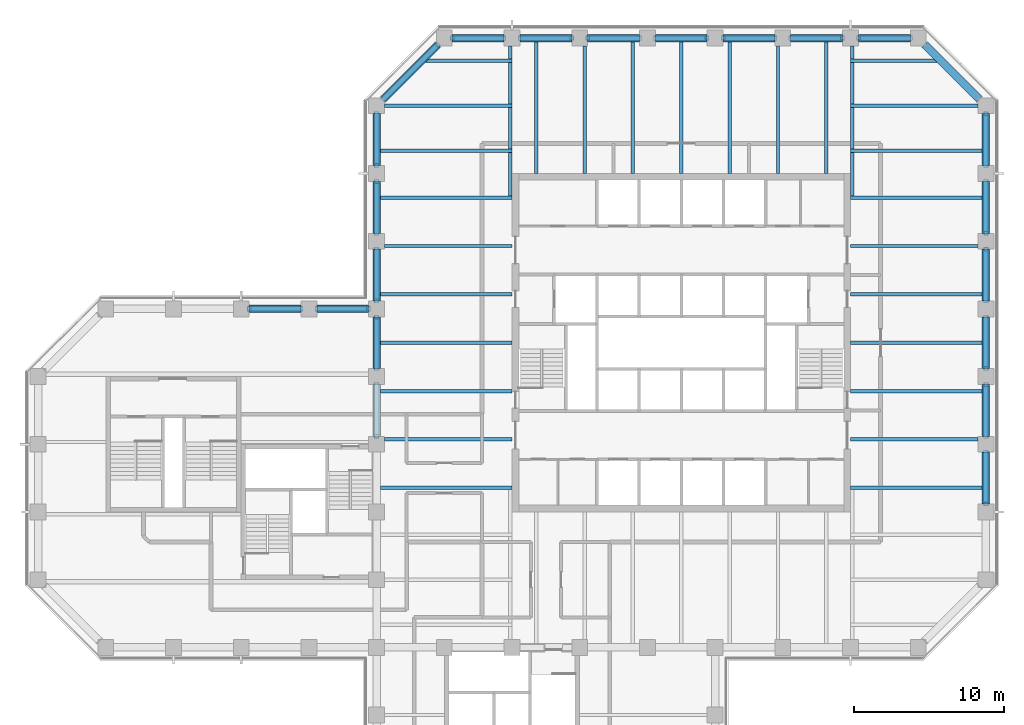
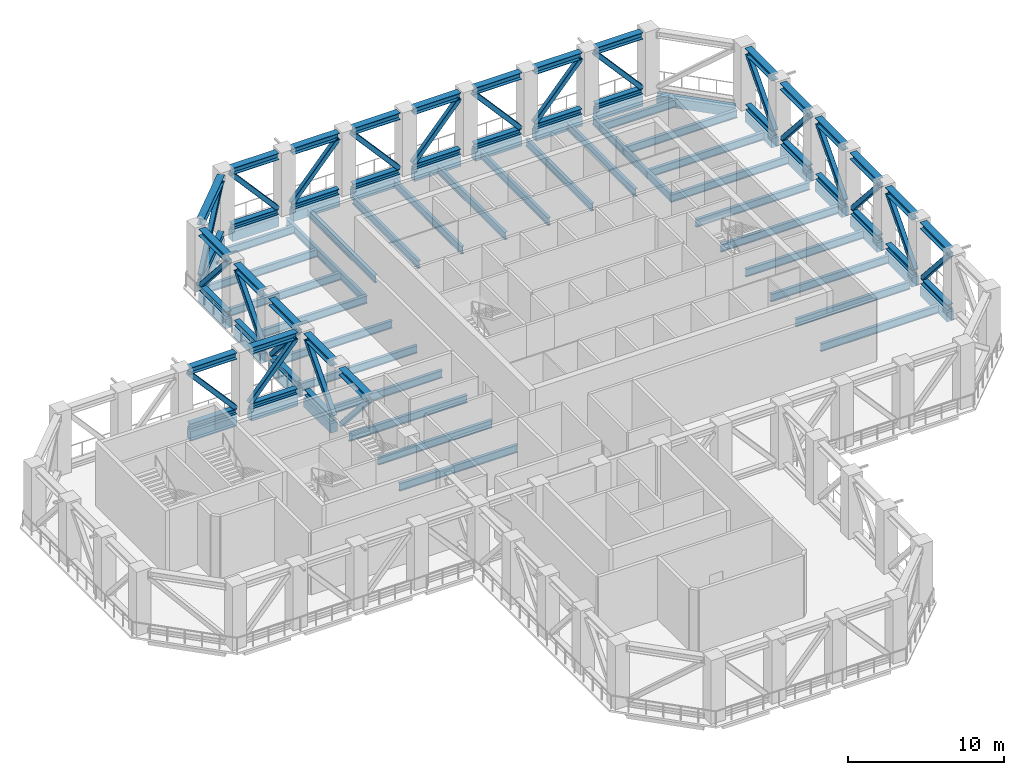
# One storey, part 3 of 14: 62 members, 50 beams.
"""IFC4 building model written with IfcOpenShell, lengths in metres."""

from ifc_helpers import new_model, si_unit, direction, frame, origin, origin_2d, place, context, subcontext, project, spatial, rectangle, hollow_rectangle, i_section, extrude, material, material_profile, profile_set, type_object, element, save


model = new_model("IFC4")

# Units and contexts
model_context = context("Model", 3, precision=1e-05, world=origin(), true_north=direction((0.0, 1.0)))
body_context = subcontext(model_context, "Body", "Model", "MODEL_VIEW")
ifc_project = project(units=[si_unit("LENGTHUNIT", "METRE"), si_unit("AREAUNIT", "SQUARE_METRE"), si_unit("VOLUMEUNIT", "CUBIC_METRE"), si_unit("PLANEANGLEUNIT", "RADIAN"), si_unit("MASSUNIT", "GRAM", prefix="KILO")], contexts=[model_context])

# Site, building, storey
site_placement = place(None, origin())
site = spatial("IfcSite", under=ifc_project, at=site_placement, CompositionType="ELEMENT")
building_placement = place(site_placement, origin())
building = spatial("IfcBuilding", under=site, at=building_placement, Name="Quoin Convention Tower", CompositionType="ELEMENT")
storey_placement = place(building_placement, frame((0.0, 0.0, 138.10009765625)))
storey = spatial("IfcBuildingStorey", under=building, at=storey_placement, Name="L36", CompositionType="ELEMENT", Elevation=138.10009765625)

# Members
ifc_material_1 = material(Name="Steel C450L0", Category="steel")
ifc_material_profile_1 = material_profile(ifc_material_1, hollow_rectangle(XDim=0.35009765625, YDim=0.35009765625, WallThickness=0.01611328125, InnerFilletRadius=0.02392578125, OuterFilletRadius=0.0400390625, at=origin_2d()), Name="350x350x16.0SHS")
ifc_profile_set_1 = profile_set([ifc_material_profile_1], Name="Steel C450L0")
member_type_1 = type_object("IfcMemberType", Name="350x350x16.0SHS", PredefinedType="BRACE", material=ifc_profile_set_1)
for number, where, z_axis, x_axis, name in (
    (1, (76.5, 53.47509765625, 0.421875), (0.0, -0.661256330643, 0.750160026384), (1.0, 0.0, 0.0), "Belt truss L36 diagonal 76500_49500-76500_54000"),
    (2, (76.5, 54.52490234375, 0.421875), (0.0, 0.661256330643, 0.750160026384), (-1.0, 0.0, 0.0), "Belt truss L36 diagonal 76500_54000-76500_58500"),
    (3, (76.5, 62.47509765625, 0.421875), (0.0, -0.661256330643, 0.750160026384), (1.0, 0.0, 0.0), "Belt truss L36 diagonal 76500_58500-76500_63000"),
    (4, (76.5, 63.52490234375, 0.421875), (0.0, 0.661256330643, 0.750160026384), (-1.0, 0.0, 0.0), "Belt truss L36 diagonal 76500_63000-76500_67500"),
    (5, (76.5, 71.47509765625, 0.421875), (0.0, -0.661256330643, 0.750160026384), (1.0, 0.0, 0.0), "Belt truss L36 diagonal 76500_67500-76500_72000"),
    (6, (76.5, 72.52490234375, 0.421875), (0.0, 0.661256330643, 0.750160026384), (-1.0, 0.0, 0.0), "Belt truss L36 diagonal 76500_72000-76500_76500"),
    (7, (71.47509765625, 81.0, 0.421875), (-0.661256330643, 0.0, 0.750160026384), (0.0, -1.0, 0.0), "Belt truss L36 diagonal 72000_81000-67500_81000"),
    (8, (63.52490234375, 81.0, 0.421875), (0.661256330643, 0.0, 0.750160026384), (0.0, 1.0, 0.0), "Belt truss L36 diagonal 67500_81000-63000_81000"),
    (9, (62.47509765625, 81.0, 0.421875), (-0.661256330643, 0.0, 0.750160026384), (0.0, -1.0, 0.0), "Belt truss L36 diagonal 63000_81000-58500_81000"),
    (10, (54.52490234375, 81.0, 0.421875), (0.661256330643, 0.0, 0.750160026384), (0.0, 1.0, 0.0), "Belt truss L36 diagonal 58500_81000-54000_81000"),
    (11, (53.47509765625, 81.0, 0.421875), (-0.661256330643, 0.0, 0.750160026384), (0.0, -1.0, 0.0), "Belt truss L36 diagonal 54000_81000-49500_81000"),
    (12, (45.52490234375, 81.0, 0.421875), (0.661256330643, 0.0, 0.750160026384), (0.0, 1.0, 0.0), "Belt truss L36 diagonal 49500_81000-45000_81000"),
    (13, (44.47509765625, 81.0, 0.421875), (-0.661256330643, 0.0, 0.750160026384), (0.0, -1.0, 0.0), "Belt truss L36 diagonal 45000_81000-40500_81000"),
):
    element("IfcMember", number, at=place(storey_placement, frame(where, z_axis=z_axis, x_axis=x_axis)), inside=storey, type_object=member_type_1, Name=name, PredefinedType="BRACE", context=body_context, shape_type="SweptSolid", body=[
        extrude(hollow_rectangle(XDim=0.35009765625, YDim=0.35009765625, WallThickness=0.01611328125, InnerFilletRadius=0.02392578125, OuterFilletRadius=0.0400390625, at=origin_2d()), origin(), (0.0, 0.0, 1.0), 5.217529296875),
    ])
member_1_placement = place(storey_placement, frame((36.440185546875, 76.940185546875, 0.421875), z_axis=(0.561717629009, 0.561717629009, 0.607409755043), x_axis=(-0.707106781187, 0.707106781187, 0.0)))
element("IfcMember", 14, at=member_1_placement, inside=storey, type_object=member_type_1, Name="Belt truss L36 diagonal 40500_81000-36000_76500", PredefinedType="BRACE", context=body_context, shape_type="SweptSolid", body=[
    extrude(hollow_rectangle(XDim=0.35009765625, YDim=0.35009765625, WallThickness=0.01611328125, InnerFilletRadius=0.02392578125, OuterFilletRadius=0.0400390625, at=origin_2d()), origin(), (0.0, 0.0, 1.0), 6.44384765625),
])
for number, where, z_axis, x_axis, name in (
    (15, (36.0, 75.97509765625, 0.421875), (0.0, -0.661256330643, 0.750160026384), (1.0, 0.0, 0.0), "Belt truss L36 diagonal 36000_76500-36000_72000"),
    (16, (36.0, 68.02490234375, 0.421875), (0.0, 0.661256330643, 0.750160026384), (-1.0, 0.0, 0.0), "Belt truss L36 diagonal 36000_72000-36000_67500"),
    (17, (36.0, 66.97509765625, 0.421875), (0.0, -0.661256330643, 0.750160026384), (1.0, 0.0, 0.0), "Belt truss L36 diagonal 36000_67500-36000_63000"),
    (18, (32.02490234375, 63.0, 0.421875), (0.661256330643, 0.0, 0.750160026384), (0.0, 1.0, 0.0), "Belt truss L36 diagonal 36000_63000-31500_63000"),
    (19, (30.97509765625, 63.0, 0.421875), (-0.661256330643, 0.0, 0.750160026384), (0.0, -1.0, 0.0), "Belt truss L36 diagonal 31500_63000-27000_63000"),
    (20, (36.0, 57.97509765625, 0.421875), (0.0, -0.661256330643, 0.750160026384), (1.0, 0.0, 0.0), "Belt truss L36 diagonal 36000_54000-36000_58500"),
    (21, (36.0, 59.02490234375, 0.421875), (0.0, 0.661256330643, 0.750160026384), (-1.0, 0.0, 0.0), "Belt truss L36 diagonal 36000_58500-36000_63000"),
):
    element("IfcMember", number, at=place(storey_placement, frame(where, z_axis=z_axis, x_axis=x_axis)), inside=storey, type_object=member_type_1, Name=name, PredefinedType="BRACE", context=body_context, shape_type="SweptSolid", body=[
        extrude(hollow_rectangle(XDim=0.35009765625, YDim=0.35009765625, WallThickness=0.01611328125, InnerFilletRadius=0.02392578125, OuterFilletRadius=0.0400390625, at=origin_2d()), origin(), (0.0, 0.0, 1.0), 5.217529296875),
    ])
ifc_material_2 = material(Name="Steel Grade 300", Category="steel")
ifc_material_profile_2 = material_profile(ifc_material_2, i_section(OverallWidth=0.39990234375, OverallDepth=0.422119140625, WebThickness=0.028076171875, FlangeThickness=0.035888671875, at=origin_2d()), Name="400WC303")
ifc_profile_set_2 = profile_set([ifc_material_profile_2], Name="Steel Grade 300")
member_type_2 = type_object("IfcMemberType", Name="400WC303", PredefinedType="CHORD", material=ifc_profile_set_2)
for number, where, z_axis, x_axis, name in (
    (22, (76.5, 50.02490234375, 0.2109375), (0.0, 1.0, 0.0), (-1.0, 0.0, 0.0), "Belt truss L36 bottom chord 76500_49500-76500_54000"),
    (23, (76.5, 54.52490234375, 0.2109375), (0.0, 1.0, 0.0), (-1.0, 0.0, 0.0), "Belt truss L36 bottom chord 76500_54000-76500_58500"),
    (24, (76.5, 59.02490234375, 0.2109375), (0.0, 1.0, 0.0), (-1.0, 0.0, 0.0), "Belt truss L36 bottom chord 76500_58500-76500_63000"),
    (25, (76.5, 63.52490234375, 0.2109375), (0.0, 1.0, 0.0), (-1.0, 0.0, 0.0), "Belt truss L36 bottom chord 76500_63000-76500_67500"),
    (26, (76.5, 68.02490234375, 0.2109375), (0.0, 1.0, 0.0), (-1.0, 0.0, 0.0), "Belt truss L36 bottom chord 76500_67500-76500_72000"),
    (27, (76.5, 72.52490234375, 0.2109375), (0.0, 1.0, 0.0), (-1.0, 0.0, 0.0), "Belt truss L36 bottom chord 76500_72000-76500_76500"),
    (28, (71.47509765625, 81.0, 0.2109375), (-1.0, 0.0, 0.0), (0.0, -1.0, 0.0), "Belt truss L36 bottom chord 72000_81000-67500_81000"),
    (29, (66.97509765625, 81.0, 0.2109375), (-1.0, 0.0, 0.0), (0.0, -1.0, 0.0), "Belt truss L36 bottom chord 67500_81000-63000_81000"),
    (30, (62.47509765625, 81.0, 0.2109375), (-1.0, 0.0, 0.0), (0.0, -1.0, 0.0), "Belt truss L36 bottom chord 63000_81000-58500_81000"),
    (31, (57.97509765625, 81.0, 0.2109375), (-1.0, 0.0, 0.0), (0.0, -1.0, 0.0), "Belt truss L36 bottom chord 58500_81000-54000_81000"),
    (32, (53.47509765625, 81.0, 0.2109375), (-1.0, 0.0, 0.0), (0.0, -1.0, 0.0), "Belt truss L36 bottom chord 54000_81000-49500_81000"),
    (33, (48.97509765625, 81.0, 0.2109375), (-1.0, 0.0, 0.0), (0.0, -1.0, 0.0), "Belt truss L36 bottom chord 49500_81000-45000_81000"),
    (34, (44.47509765625, 81.0, 0.2109375), (-1.0, 0.0, 0.0), (0.0, -1.0, 0.0), "Belt truss L36 bottom chord 45000_81000-40500_81000"),
):
    element("IfcMember", number, at=place(storey_placement, frame(where, z_axis=z_axis, x_axis=x_axis)), inside=storey, type_object=member_type_2, Name=name, PredefinedType="CHORD", context=body_context, shape_type="SweptSolid", body=[
        extrude(i_section(OverallWidth=0.39990234375, OverallDepth=0.422119140625, WebThickness=0.028076171875, FlangeThickness=0.035888671875, at=origin_2d()), origin(), (0.0, 0.0, 1.0), 3.4501953125),
    ])
member_2_placement = place(storey_placement, frame((40.059814453125, 80.559814453125, 0.2109375), z_axis=(-0.707106781187, -0.707106781187, 0.0), x_axis=(0.707106781187, -0.707106781187, 0.0)))
element("IfcMember", 35, at=member_2_placement, inside=storey, type_object=member_type_2, Name="Belt truss L36 bottom chord 40500_81000-36000_76500", PredefinedType="CHORD", context=body_context, shape_type="SweptSolid", body=[
    extrude(i_section(OverallWidth=0.39990234375, OverallDepth=0.422119140625, WebThickness=0.028076171875, FlangeThickness=0.035888671875, at=origin_2d()), origin(), (0.0, 0.0, 1.0), 5.118896484375),
])
for number, where, z_axis, x_axis, name in (
    (36, (36.0, 75.97509765625, 0.2109375), (0.0, -1.0, 0.0), (1.0, 0.0, 0.0), "Belt truss L36 bottom chord 36000_76500-36000_72000"),
    (37, (36.0, 71.47509765625, 0.2109375), (0.0, -1.0, 0.0), (1.0, 0.0, 0.0), "Belt truss L36 bottom chord 36000_72000-36000_67500"),
    (38, (36.0, 66.97509765625, 0.2109375), (0.0, -1.0, 0.0), (1.0, 0.0, 0.0), "Belt truss L36 bottom chord 36000_67500-36000_63000"),
    (39, (35.47509765625, 63.0, 0.2109375), (-1.0, 0.0, 0.0), (0.0, -1.0, 0.0), "Belt truss L36 bottom chord 36000_63000-31500_63000"),
    (40, (30.97509765625, 63.0, 0.2109375), (-1.0, 0.0, 0.0), (0.0, -1.0, 0.0), "Belt truss L36 bottom chord 31500_63000-27000_63000"),
    (41, (36.0, 59.02490234375, 0.2109375), (0.0, 1.0, 0.0), (-1.0, 0.0, 0.0), "Belt truss L36 bottom chord 36000_58500-36000_63000"),
):
    element("IfcMember", number, at=place(storey_placement, frame(where, z_axis=z_axis, x_axis=x_axis)), inside=storey, type_object=member_type_2, Name=name, PredefinedType="CHORD", context=body_context, shape_type="SweptSolid", body=[
        extrude(i_section(OverallWidth=0.39990234375, OverallDepth=0.422119140625, WebThickness=0.028076171875, FlangeThickness=0.035888671875, at=origin_2d()), origin(), (0.0, 0.0, 1.0), 3.4501953125),
    ])
ifc_material_profile_3 = material_profile(ifc_material_2, i_section(OverallWidth=0.5, OverallDepth=0.513916015625, WebThickness=0.02490234375, FlangeThickness=0.031982421875, at=origin_2d()), Name="500WC340")
ifc_profile_set_3 = profile_set([ifc_material_profile_3], Name="Steel Grade 300")
member_type_3 = type_object("IfcMemberType", Name="500WC340", PredefinedType="CHORD", material=ifc_profile_set_3)
for number, where, z_axis, x_axis, name in (
    (42, (76.5, 50.02490234375, 4.593017578125), (0.0, 1.0, 0.0), (-1.0, 0.0, 0.0), "Belt truss L36 top chord 76500_49500-76500_54000"),
    (43, (76.5, 54.52490234375, 4.593017578125), (0.0, 1.0, 0.0), (-1.0, 0.0, 0.0), "Belt truss L36 top chord 76500_54000-76500_58500"),
    (44, (76.5, 59.02490234375, 4.593017578125), (0.0, 1.0, 0.0), (-1.0, 0.0, 0.0), "Belt truss L36 top chord 76500_58500-76500_63000"),
    (45, (76.5, 63.52490234375, 4.593017578125), (0.0, 1.0, 0.0), (-1.0, 0.0, 0.0), "Belt truss L36 top chord 76500_63000-76500_67500"),
    (46, (76.5, 68.02490234375, 4.593017578125), (0.0, 1.0, 0.0), (-1.0, 0.0, 0.0), "Belt truss L36 top chord 76500_67500-76500_72000"),
    (47, (76.5, 72.52490234375, 4.593017578125), (0.0, 1.0, 0.0), (-1.0, 0.0, 0.0), "Belt truss L36 top chord 76500_72000-76500_76500"),
    (48, (71.47509765625, 81.0, 4.593017578125), (-1.0, 0.0, 0.0), (0.0, -1.0, 0.0), "Belt truss L36 top chord 72000_81000-67500_81000"),
    (49, (66.97509765625, 81.0, 4.593017578125), (-1.0, 0.0, 0.0), (0.0, -1.0, 0.0), "Belt truss L36 top chord 67500_81000-63000_81000"),
    (50, (62.47509765625, 81.0, 4.593017578125), (-1.0, 0.0, 0.0), (0.0, -1.0, 0.0), "Belt truss L36 top chord 63000_81000-58500_81000"),
    (51, (57.97509765625, 81.0, 4.593017578125), (-1.0, 0.0, 0.0), (0.0, -1.0, 0.0), "Belt truss L36 top chord 58500_81000-54000_81000"),
    (52, (53.47509765625, 81.0, 4.593017578125), (-1.0, 0.0, 0.0), (0.0, -1.0, 0.0), "Belt truss L36 top chord 54000_81000-49500_81000"),
    (53, (48.97509765625, 81.0, 4.593017578125), (-1.0, 0.0, 0.0), (0.0, -1.0, 0.0), "Belt truss L36 top chord 49500_81000-45000_81000"),
    (54, (44.47509765625, 81.0, 4.593017578125), (-1.0, 0.0, 0.0), (0.0, -1.0, 0.0), "Belt truss L36 top chord 45000_81000-40500_81000"),
):
    element("IfcMember", number, at=place(storey_placement, frame(where, z_axis=z_axis, x_axis=x_axis)), inside=storey, type_object=member_type_3, Name=name, PredefinedType="CHORD", context=body_context, shape_type="SweptSolid", body=[
        extrude(i_section(OverallWidth=0.5, OverallDepth=0.513916015625, WebThickness=0.02490234375, FlangeThickness=0.031982421875, at=origin_2d()), origin(), (0.0, 0.0, 1.0), 3.4501953125),
    ])
member_3_placement = place(storey_placement, frame((40.059814453125, 80.559814453125, 4.593017578125), z_axis=(-0.707106781187, -0.707106781187, 0.0), x_axis=(0.707106781187, -0.707106781187, 0.0)))
element("IfcMember", 55, at=member_3_placement, inside=storey, type_object=member_type_3, Name="Belt truss L36 top chord 40500_81000-36000_76500", PredefinedType="CHORD", context=body_context, shape_type="SweptSolid", body=[
    extrude(i_section(OverallWidth=0.5, OverallDepth=0.513916015625, WebThickness=0.02490234375, FlangeThickness=0.031982421875, at=origin_2d()), origin(), (0.0, 0.0, 1.0), 5.118896484375),
])
for number, where, z_axis, x_axis, name in (
    (56, (36.0, 75.97509765625, 4.593017578125), (0.0, -1.0, 0.0), (1.0, 0.0, 0.0), "Belt truss L36 top chord 36000_76500-36000_72000"),
    (57, (36.0, 71.47509765625, 4.593017578125), (0.0, -1.0, 0.0), (1.0, 0.0, 0.0), "Belt truss L36 top chord 36000_72000-36000_67500"),
    (58, (36.0, 66.97509765625, 4.593017578125), (0.0, -1.0, 0.0), (1.0, 0.0, 0.0), "Belt truss L36 top chord 36000_67500-36000_63000"),
    (59, (35.47509765625, 63.0, 4.593017578125), (-1.0, 0.0, 0.0), (0.0, -1.0, 0.0), "Belt truss L36 top chord 36000_63000-31500_63000"),
    (60, (30.97509765625, 63.0, 4.593017578125), (-1.0, 0.0, 0.0), (0.0, -1.0, 0.0), "Belt truss L36 top chord 31500_63000-27000_63000"),
    (61, (36.0, 54.52490234375, 4.593017578125), (0.0, 1.0, 0.0), (-1.0, 0.0, 0.0), "Belt truss L36 top chord 36000_54000-36000_58500"),
    (62, (36.0, 59.02490234375, 4.593017578125), (0.0, 1.0, 0.0), (-1.0, 0.0, 0.0), "Belt truss L36 top chord 36000_58500-36000_63000"),
):
    element("IfcMember", number, at=place(storey_placement, frame(where, z_axis=z_axis, x_axis=x_axis)), inside=storey, type_object=member_type_3, Name=name, PredefinedType="CHORD", context=body_context, shape_type="SweptSolid", body=[
        extrude(i_section(OverallWidth=0.5, OverallDepth=0.513916015625, WebThickness=0.02490234375, FlangeThickness=0.031982421875, at=origin_2d()), origin(), (0.0, 0.0, 1.0), 3.4501953125),
    ])

# Beams
ifc_material_profile_4 = material_profile(ifc_material_2, i_section(OverallWidth=0.22802734375, OverallDepth=0.60205078125, WebThickness=0.010498046875, FlangeThickness=0.014892578125, FilletRadius=0.013916015625, at=origin_2d()), Name="610UB101")
ifc_profile_set_4 = profile_set([ifc_material_profile_4], Name="Steel Grade 300")
beam_type_1 = type_object("IfcBeamType", Name="610UB101", PredefinedType="BEAM", material=ifc_profile_set_4)
beam_1_placement = place(storey_placement, frame((36.25, 51.107177734375, -0.451171875), z_axis=(1.0, 0.0, 0.0), x_axis=(0.0, 1.0, 0.0)))
element("IfcBeam", 63, at=beam_1_placement, inside=storey, type_object=beam_type_1, Name="bm-L36-T1W0", PredefinedType="BEAM", context=body_context, shape_type="SweptSolid", body=[
    extrude(i_section(OverallWidth=0.22802734375, OverallDepth=0.60205078125, WebThickness=0.010498046875, FlangeThickness=0.014892578125, FilletRadius=0.013916015625, at=origin_2d()), origin(), (0.0, 0.0, 1.0), 8.75),
])
beam_2_placement = place(storey_placement, frame((36.52490234375, 54.3212890625, -0.451171875), z_axis=(1.0, 0.0, 0.0), x_axis=(0.0, 1.0, 0.0)))
element("IfcBeam", 64, at=beam_2_placement, inside=storey, type_object=beam_type_1, Name="bm-L36-T1W1", PredefinedType="BEAM", context=body_context, shape_type="SweptSolid", body=[
    extrude(i_section(OverallWidth=0.22802734375, OverallDepth=0.60205078125, WebThickness=0.010498046875, FlangeThickness=0.014892578125, FilletRadius=0.013916015625, at=origin_2d()), origin(), (0.0, 0.0, 1.0), 8.47509765625),
])
for number, where, z_axis, x_axis, name in (
    (65, (36.25, 57.53564453125, -0.451171875), (1.0, 0.0, 0.0), (0.0, 1.0, 0.0), "bm-L36-T1W2"),
    (66, (36.25, 60.75, -0.451171875), (1.0, 0.0, 0.0), (0.0, 1.0, 0.0), "bm-L36-T1W3"),
    (67, (36.25, 63.96435546875, -0.451171875), (1.0, 0.0, 0.0), (0.0, 1.0, 0.0), "bm-L36-T1W4"),
):
    element("IfcBeam", number, at=place(storey_placement, frame(where, z_axis=z_axis, x_axis=x_axis)), inside=storey, type_object=beam_type_1, Name=name, PredefinedType="BEAM", context=body_context, shape_type="SweptSolid", body=[
        extrude(i_section(OverallWidth=0.22802734375, OverallDepth=0.60205078125, WebThickness=0.010498046875, FlangeThickness=0.014892578125, FilletRadius=0.013916015625, at=origin_2d()), origin(), (0.0, 0.0, 1.0), 8.75),
    ])
beam_3_placement = place(storey_placement, frame((36.52490234375, 67.1787109375, -0.451171875), z_axis=(1.0, 0.0, 0.0), x_axis=(0.0, 1.0, 0.0)))
element("IfcBeam", 68, at=beam_3_placement, inside=storey, type_object=beam_type_1, Name="bm-L36-T1W5", PredefinedType="BEAM", context=body_context, shape_type="SweptSolid", body=[
    extrude(i_section(OverallWidth=0.22802734375, OverallDepth=0.60205078125, WebThickness=0.010498046875, FlangeThickness=0.014892578125, FilletRadius=0.013916015625, at=origin_2d()), origin(), (0.0, 0.0, 1.0), 8.47509765625),
])
for number, where, z_axis, x_axis, name in (
    (69, (36.25, 70.392822265625, -0.451171875), (1.0, 0.0, 0.0), (0.0, 1.0, 0.0), "bm-L36-T1W6"),
    (70, (67.5, 51.107177734375, -0.451171875), (1.0, 0.0, 0.0), (0.0, 1.0, 0.0), "bm-L36-T1E0"),
):
    element("IfcBeam", number, at=place(storey_placement, frame(where, z_axis=z_axis, x_axis=x_axis)), inside=storey, type_object=beam_type_1, Name=name, PredefinedType="BEAM", context=body_context, shape_type="SweptSolid", body=[
        extrude(i_section(OverallWidth=0.22802734375, OverallDepth=0.60205078125, WebThickness=0.010498046875, FlangeThickness=0.014892578125, FilletRadius=0.013916015625, at=origin_2d()), origin(), (0.0, 0.0, 1.0), 8.75),
    ])
beam_4_placement = place(storey_placement, frame((67.5, 54.3212890625, -0.451171875), z_axis=(1.0, 0.0, 0.0), x_axis=(0.0, 1.0, 0.0)))
element("IfcBeam", 71, at=beam_4_placement, inside=storey, type_object=beam_type_1, Name="bm-L36-T1E1", PredefinedType="BEAM", context=body_context, shape_type="SweptSolid", body=[
    extrude(i_section(OverallWidth=0.22802734375, OverallDepth=0.60205078125, WebThickness=0.010498046875, FlangeThickness=0.014892578125, FilletRadius=0.013916015625, at=origin_2d()), origin(), (0.0, 0.0, 1.0), 8.47509765625),
])
for number, where, z_axis, x_axis, name in (
    (72, (67.5, 57.53564453125, -0.451171875), (1.0, 0.0, 0.0), (0.0, 1.0, 0.0), "bm-L36-T1E2"),
    (73, (67.5, 60.75, -0.451171875), (1.0, 0.0, 0.0), (0.0, 1.0, 0.0), "bm-L36-T1E3"),
    (74, (67.5, 63.96435546875, -0.451171875), (1.0, 0.0, 0.0), (0.0, 1.0, 0.0), "bm-L36-T1E4"),
):
    element("IfcBeam", number, at=place(storey_placement, frame(where, z_axis=z_axis, x_axis=x_axis)), inside=storey, type_object=beam_type_1, Name=name, PredefinedType="BEAM", context=body_context, shape_type="SweptSolid", body=[
        extrude(i_section(OverallWidth=0.22802734375, OverallDepth=0.60205078125, WebThickness=0.010498046875, FlangeThickness=0.014892578125, FilletRadius=0.013916015625, at=origin_2d()), origin(), (0.0, 0.0, 1.0), 8.75),
    ])
beam_5_placement = place(storey_placement, frame((67.5, 67.1787109375, -0.451171875), z_axis=(1.0, 0.0, 0.0), x_axis=(0.0, 1.0, 0.0)))
element("IfcBeam", 75, at=beam_5_placement, inside=storey, type_object=beam_type_1, Name="bm-L36-T1E5", PredefinedType="BEAM", context=body_context, shape_type="SweptSolid", body=[
    extrude(i_section(OverallWidth=0.22802734375, OverallDepth=0.60205078125, WebThickness=0.010498046875, FlangeThickness=0.014892578125, FilletRadius=0.013916015625, at=origin_2d()), origin(), (0.0, 0.0, 1.0), 8.47509765625),
])
for number, where, z_axis, x_axis, name in (
    (76, (67.5, 70.392822265625, -0.451171875), (1.0, 0.0, 0.0), (0.0, 1.0, 0.0), "bm-L36-T1E6"),
    (77, (46.607177734375, 72.0, -0.451171875), (0.0, 1.0, 0.0), (-1.0, 0.0, 0.0), "bm-L36-T1N0"),
):
    element("IfcBeam", number, at=place(storey_placement, frame(where, z_axis=z_axis, x_axis=x_axis)), inside=storey, type_object=beam_type_1, Name=name, PredefinedType="BEAM", context=body_context, shape_type="SweptSolid", body=[
        extrude(i_section(OverallWidth=0.22802734375, OverallDepth=0.60205078125, WebThickness=0.010498046875, FlangeThickness=0.014892578125, FilletRadius=0.013916015625, at=origin_2d()), origin(), (0.0, 0.0, 1.0), 8.75),
    ])
beam_6_placement = place(storey_placement, frame((49.8212890625, 72.0, -0.451171875), z_axis=(0.0, 1.0, 0.0), x_axis=(-1.0, 0.0, 0.0)))
element("IfcBeam", 78, at=beam_6_placement, inside=storey, type_object=beam_type_1, Name="bm-L36-T1N1", PredefinedType="BEAM", context=body_context, shape_type="SweptSolid", body=[
    extrude(i_section(OverallWidth=0.22802734375, OverallDepth=0.60205078125, WebThickness=0.010498046875, FlangeThickness=0.014892578125, FilletRadius=0.013916015625, at=origin_2d()), origin(), (0.0, 0.0, 1.0), 8.47509765625),
])
for number, where, z_axis, x_axis, name in (
    (79, (53.03564453125, 72.0, -0.451171875), (0.0, 1.0, 0.0), (-1.0, 0.0, 0.0), "bm-L36-T1N2"),
    (80, (56.25, 72.0, -0.451171875), (0.0, 1.0, 0.0), (-1.0, 0.0, 0.0), "bm-L36-T1N3"),
    (81, (59.46435546875, 72.0, -0.451171875), (0.0, 1.0, 0.0), (-1.0, 0.0, 0.0), "bm-L36-T1N4"),
):
    element("IfcBeam", number, at=place(storey_placement, frame(where, z_axis=z_axis, x_axis=x_axis)), inside=storey, type_object=beam_type_1, Name=name, PredefinedType="BEAM", context=body_context, shape_type="SweptSolid", body=[
        extrude(i_section(OverallWidth=0.22802734375, OverallDepth=0.60205078125, WebThickness=0.010498046875, FlangeThickness=0.014892578125, FilletRadius=0.013916015625, at=origin_2d()), origin(), (0.0, 0.0, 1.0), 8.75),
    ])
beam_7_placement = place(storey_placement, frame((62.6787109375, 72.0, -0.451171875), z_axis=(0.0, 1.0, 0.0), x_axis=(-1.0, 0.0, 0.0)))
element("IfcBeam", 82, at=beam_7_placement, inside=storey, type_object=beam_type_1, Name="bm-L36-T1N5", PredefinedType="BEAM", context=body_context, shape_type="SweptSolid", body=[
    extrude(i_section(OverallWidth=0.22802734375, OverallDepth=0.60205078125, WebThickness=0.010498046875, FlangeThickness=0.014892578125, FilletRadius=0.013916015625, at=origin_2d()), origin(), (0.0, 0.0, 1.0), 8.47509765625),
])
beam_8_placement = place(storey_placement, frame((65.892822265625, 72.0, -0.451171875), z_axis=(0.0, 1.0, 0.0), x_axis=(-1.0, 0.0, 0.0)))
element("IfcBeam", 83, at=beam_8_placement, inside=storey, type_object=beam_type_1, Name="bm-L36-T1N6", PredefinedType="BEAM", context=body_context, shape_type="SweptSolid", body=[
    extrude(i_section(OverallWidth=0.22802734375, OverallDepth=0.60205078125, WebThickness=0.010498046875, FlangeThickness=0.014892578125, FilletRadius=0.013916015625, at=origin_2d()), origin(), (0.0, 0.0, 1.0), 8.75),
])
beam_9_placement = place(storey_placement, frame((39.062744140625, 79.5, -0.451171875), z_axis=(1.0, 0.0, 0.0), x_axis=(0.0, 1.0, 0.0)))
element("IfcBeam", 84, at=beam_9_placement, inside=storey, type_object=beam_type_1, Name="bm-L36-T1NW0", PredefinedType="BEAM", context=body_context, shape_type="SweptSolid", body=[
    extrude(i_section(OverallWidth=0.22802734375, OverallDepth=0.60205078125, WebThickness=0.010498046875, FlangeThickness=0.014892578125, FilletRadius=0.013916015625, at=origin_2d()), origin(), (0.0, 0.0, 1.0), 5.937255859375),
])
beam_10_placement = place(storey_placement, frame((36.52490234375, 76.5, -0.451171875), z_axis=(1.0, 0.0, 0.0), x_axis=(0.0, 1.0, 0.0)))
element("IfcBeam", 85, at=beam_10_placement, inside=storey, type_object=beam_type_1, Name="bm-L36-T1NW1", PredefinedType="BEAM", context=body_context, shape_type="SweptSolid", body=[
    extrude(i_section(OverallWidth=0.22802734375, OverallDepth=0.60205078125, WebThickness=0.010498046875, FlangeThickness=0.014892578125, FilletRadius=0.013916015625, at=origin_2d()), origin(), (0.0, 0.0, 1.0), 8.47509765625),
])
beam_11_placement = place(storey_placement, frame((36.25, 73.5, -0.451171875), z_axis=(1.0, 0.0, 0.0), x_axis=(0.0, 1.0, 0.0)))
element("IfcBeam", 86, at=beam_11_placement, inside=storey, type_object=beam_type_1, Name="bm-L36-T1NW2", PredefinedType="BEAM", context=body_context, shape_type="SweptSolid", body=[
    extrude(i_section(OverallWidth=0.22802734375, OverallDepth=0.60205078125, WebThickness=0.010498046875, FlangeThickness=0.014892578125, FilletRadius=0.013916015625, at=origin_2d()), origin(), (0.0, 0.0, 1.0), 8.75),
])
beam_12_placement = place(storey_placement, frame((67.5, 79.5, -0.451171875), z_axis=(1.0, 0.0, 0.0), x_axis=(0.0, 1.0, 0.0)))
element("IfcBeam", 87, at=beam_12_placement, inside=storey, type_object=beam_type_1, Name="bm-L36-T1NE0", PredefinedType="BEAM", context=body_context, shape_type="SweptSolid", body=[
    extrude(i_section(OverallWidth=0.22802734375, OverallDepth=0.60205078125, WebThickness=0.010498046875, FlangeThickness=0.014892578125, FilletRadius=0.013916015625, at=origin_2d()), origin(), (0.0, 0.0, 1.0), 5.937255859375),
])
beam_13_placement = place(storey_placement, frame((67.5, 76.5, -0.451171875), z_axis=(1.0, 0.0, 0.0), x_axis=(0.0, 1.0, 0.0)))
element("IfcBeam", 88, at=beam_13_placement, inside=storey, type_object=beam_type_1, Name="bm-L36-T1NE1", PredefinedType="BEAM", context=body_context, shape_type="SweptSolid", body=[
    extrude(i_section(OverallWidth=0.22802734375, OverallDepth=0.60205078125, WebThickness=0.010498046875, FlangeThickness=0.014892578125, FilletRadius=0.013916015625, at=origin_2d()), origin(), (0.0, 0.0, 1.0), 8.47509765625),
])
beam_14_placement = place(storey_placement, frame((67.5, 73.5, -0.451171875), z_axis=(1.0, 0.0, 0.0), x_axis=(0.0, 1.0, 0.0)))
element("IfcBeam", 89, at=beam_14_placement, inside=storey, type_object=beam_type_1, Name="bm-L36-T1NE2", PredefinedType="BEAM", context=body_context, shape_type="SweptSolid", body=[
    extrude(i_section(OverallWidth=0.22802734375, OverallDepth=0.60205078125, WebThickness=0.010498046875, FlangeThickness=0.014892578125, FilletRadius=0.013916015625, at=origin_2d()), origin(), (0.0, 0.0, 1.0), 8.75),
])
ifc_material_profile_5 = material_profile(ifc_material_2, i_section(OverallWidth=0.22900390625, OverallDepth=0.612060546875, WebThickness=0.011962890625, FlangeThickness=0.01953125, FilletRadius=0.013916015625, at=origin_2d()), Name="610UB125")
ifc_profile_set_5 = profile_set([ifc_material_profile_5], Name="Steel Grade 300")
beam_type_2 = type_object("IfcBeamType", Name="610UB125", PredefinedType="BEAM", material=ifc_profile_set_5)
for number, where, z_axis, x_axis, name in (
    (90, (44.885498046875, 80.47509765625, -0.4560546875), (0.0, -1.0, 0.0), (1.0, 0.0, 0.0), "gir-L36-T1NW"),
    (91, (67.614501953125, 80.47509765625, -0.4560546875), (0.0, -1.0, 0.0), (1.0, 0.0, 0.0), "gir-L36-T1NE"),
):
    element("IfcBeam", number, at=place(storey_placement, frame(where, z_axis=z_axis, x_axis=x_axis)), inside=storey, type_object=beam_type_2, Name=name, PredefinedType="BEAM", context=body_context, shape_type="SweptSolid", body=[
        extrude(i_section(OverallWidth=0.22900390625, OverallDepth=0.612060546875, WebThickness=0.011962890625, FlangeThickness=0.01953125, FilletRadius=0.013916015625, at=origin_2d()), origin(), (0.0, 0.0, 1.0), 9.96826171875),
    ])
ifc_material_3 = material(Name="Concrete C65", Category="concrete")
ifc_material_profile_6 = material_profile(ifc_material_3, rectangle(XDim=0.5, YDim=0.75, at=origin_2d()), Name="RC 500x750")
ifc_profile_set_6 = profile_set([ifc_material_profile_6], Name="Concrete C65")
beam_type_3 = type_object("IfcBeamType", Name="RC 500x750 C65", PredefinedType="SPANDREL", material=ifc_profile_set_6)
for number, where, z_axis, x_axis, name in (
    (92, (76.5, 50.02490234375, -0.525146484375), (0.0, 1.0, 0.0), (-1.0, 0.0, 0.0), "spd-L36-76500_49500-76500_54000"),
    (93, (76.5, 54.52490234375, -0.525146484375), (0.0, 1.0, 0.0), (-1.0, 0.0, 0.0), "spd-L36-76500_54000-76500_58500"),
    (94, (76.5, 59.02490234375, -0.525146484375), (0.0, 1.0, 0.0), (-1.0, 0.0, 0.0), "spd-L36-76500_58500-76500_63000"),
    (95, (76.5, 63.52490234375, -0.525146484375), (0.0, 1.0, 0.0), (-1.0, 0.0, 0.0), "spd-L36-76500_63000-76500_67500"),
    (96, (76.5, 68.02490234375, -0.525146484375), (0.0, 1.0, 0.0), (-1.0, 0.0, 0.0), "spd-L36-76500_67500-76500_72000"),
    (97, (76.5, 72.52490234375, -0.525146484375), (0.0, 1.0, 0.0), (-1.0, 0.0, 0.0), "spd-L36-76500_72000-76500_76500"),
):
    element("IfcBeam", number, at=place(storey_placement, frame(where, z_axis=z_axis, x_axis=x_axis)), inside=storey, type_object=beam_type_3, Name=name, PredefinedType="SPANDREL", context=body_context, shape_type="SweptSolid", body=[
        extrude(rectangle(XDim=0.5, YDim=0.75, at=origin_2d()), origin(), (0.0, 0.0, 1.0), 3.4501953125),
    ])
beam_15_placement = place(storey_placement, frame((76.059814453125, 76.940185546875, -0.525146484375), z_axis=(-0.707106781187, 0.707106781187, 0.0), x_axis=(-0.707106781187, -0.707106781187, 0.0)))
element("IfcBeam", 98, at=beam_15_placement, inside=storey, type_object=beam_type_3, Name="spd-L36-76500_76500-72000_81000", PredefinedType="SPANDREL", context=body_context, shape_type="SweptSolid", body=[
    extrude(rectangle(XDim=0.5, YDim=0.75, at=origin_2d()), origin(), (0.0, 0.0, 1.0), 5.118896484375),
])
for number, where, z_axis, x_axis, name in (
    (99, (71.47509765625, 81.0, -0.525146484375), (-1.0, 0.0, 0.0), (0.0, -1.0, 0.0), "spd-L36-72000_81000-67500_81000"),
    (100, (66.97509765625, 81.0, -0.525146484375), (-1.0, 0.0, 0.0), (0.0, -1.0, 0.0), "spd-L36-67500_81000-63000_81000"),
    (101, (62.47509765625, 81.0, -0.525146484375), (-1.0, 0.0, 0.0), (0.0, -1.0, 0.0), "spd-L36-63000_81000-58500_81000"),
    (102, (57.97509765625, 81.0, -0.525146484375), (-1.0, 0.0, 0.0), (0.0, -1.0, 0.0), "spd-L36-58500_81000-54000_81000"),
    (103, (53.47509765625, 81.0, -0.525146484375), (-1.0, 0.0, 0.0), (0.0, -1.0, 0.0), "spd-L36-54000_81000-49500_81000"),
    (104, (48.97509765625, 81.0, -0.525146484375), (-1.0, 0.0, 0.0), (0.0, -1.0, 0.0), "spd-L36-49500_81000-45000_81000"),
    (105, (44.47509765625, 81.0, -0.525146484375), (-1.0, 0.0, 0.0), (0.0, -1.0, 0.0), "spd-L36-45000_81000-40500_81000"),
):
    element("IfcBeam", number, at=place(storey_placement, frame(where, z_axis=z_axis, x_axis=x_axis)), inside=storey, type_object=beam_type_3, Name=name, PredefinedType="SPANDREL", context=body_context, shape_type="SweptSolid", body=[
        extrude(rectangle(XDim=0.5, YDim=0.75, at=origin_2d()), origin(), (0.0, 0.0, 1.0), 3.4501953125),
    ])
beam_16_placement = place(storey_placement, frame((40.059814453125, 80.559814453125, -0.525146484375), z_axis=(-0.707106781187, -0.707106781187, 0.0), x_axis=(0.707106781187, -0.707106781187, 0.0)))
element("IfcBeam", 106, at=beam_16_placement, inside=storey, type_object=beam_type_3, Name="spd-L36-40500_81000-36000_76500", PredefinedType="SPANDREL", context=body_context, shape_type="SweptSolid", body=[
    extrude(rectangle(XDim=0.5, YDim=0.75, at=origin_2d()), origin(), (0.0, 0.0, 1.0), 5.118896484375),
])
for number, where, z_axis, x_axis, name in (
    (107, (36.0, 75.97509765625, -0.525146484375), (0.0, -1.0, 0.0), (1.0, 0.0, 0.0), "spd-L36-36000_76500-36000_72000"),
    (108, (36.0, 71.47509765625, -0.525146484375), (0.0, -1.0, 0.0), (1.0, 0.0, 0.0), "spd-L36-36000_72000-36000_67500"),
    (109, (36.0, 66.97509765625, -0.525146484375), (0.0, -1.0, 0.0), (1.0, 0.0, 0.0), "spd-L36-36000_67500-36000_63000"),
    (110, (35.47509765625, 63.0, -0.525146484375), (-1.0, 0.0, 0.0), (0.0, -1.0, 0.0), "spd-L36-36000_63000-31500_63000"),
    (111, (30.97509765625, 63.0, -0.525146484375), (-1.0, 0.0, 0.0), (0.0, -1.0, 0.0), "spd-L36-31500_63000-27000_63000"),
    (112, (36.0, 59.02490234375, -0.525146484375), (0.0, 1.0, 0.0), (-1.0, 0.0, 0.0), "spd-L36-36000_58500-36000_63000"),
):
    element("IfcBeam", number, at=place(storey_placement, frame(where, z_axis=z_axis, x_axis=x_axis)), inside=storey, type_object=beam_type_3, Name=name, PredefinedType="SPANDREL", context=body_context, shape_type="SweptSolid", body=[
        extrude(rectangle(XDim=0.5, YDim=0.75, at=origin_2d()), origin(), (0.0, 0.0, 1.0), 3.4501953125),
    ])

save(model, "model.ifc")
